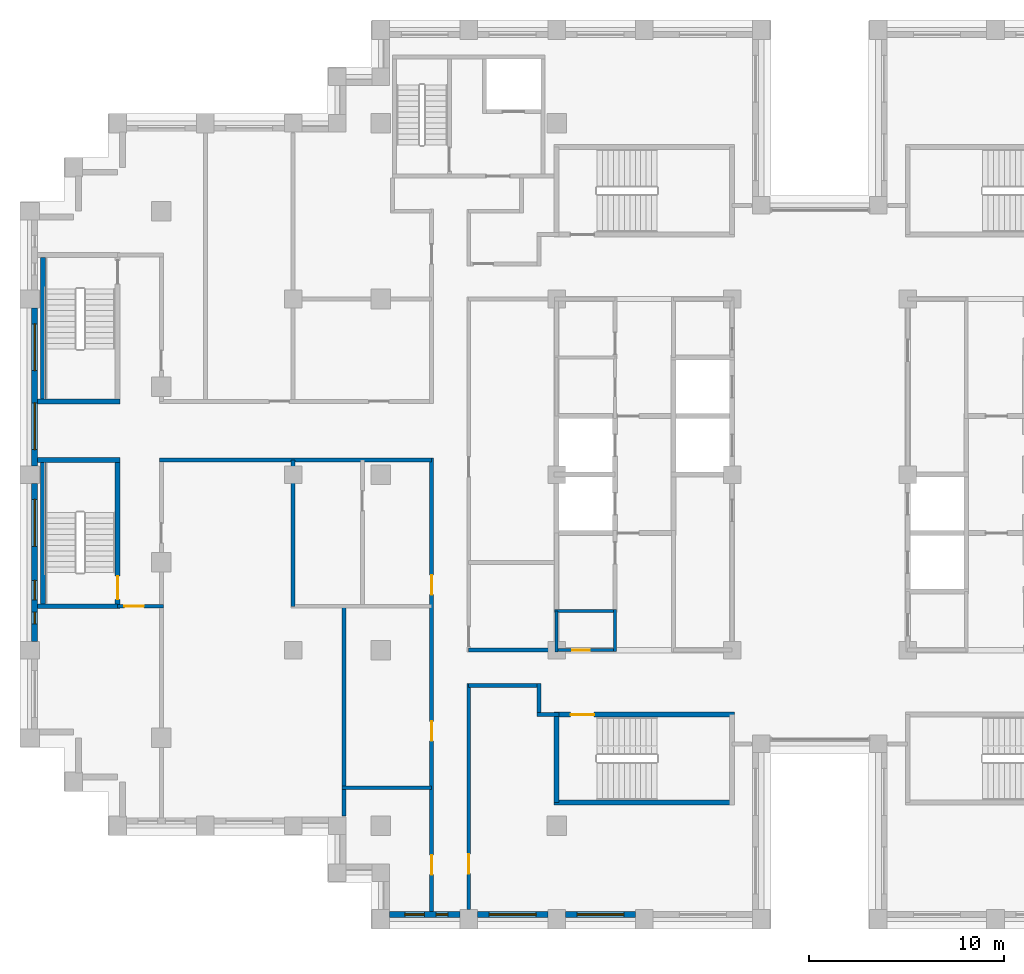
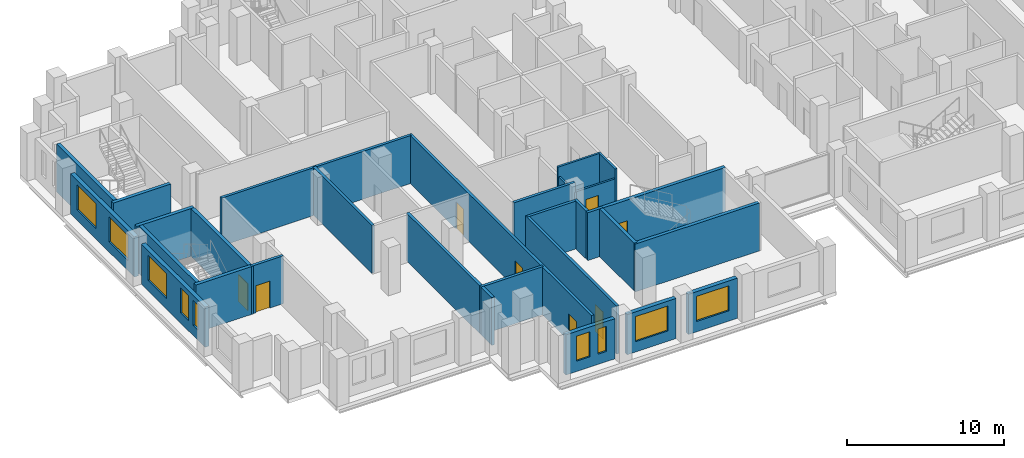
# One storey, part 6 of 15: 29 walls, 9 windows, 8 doors, 17 openings.
"""IFC4 building model written with IfcOpenShell, lengths in metres."""

from ifc_helpers import new_model, si_unit, direction, frame, frame_2d, origin, place, context, subcontext, project, spatial, rectangle, extrude, material, layer, layer_set, type_object, element, fill, save


model = new_model("IFC4")

# Units and contexts
model_context = context("Model", 3, precision=1e-05, world=origin(), true_north=direction((0.0, 1.0)))
body_context = subcontext(model_context, "Body", "Model", "MODEL_VIEW")
ifc_project = project(units=[si_unit("LENGTHUNIT", "METRE"), si_unit("AREAUNIT", "SQUARE_METRE"), si_unit("VOLUMEUNIT", "CUBIC_METRE"), si_unit("PLANEANGLEUNIT", "RADIAN"), si_unit("MASSUNIT", "GRAM", prefix="KILO")], contexts=[model_context])

# Site, building, storey
site_placement = place(None, origin())
site = spatial("IfcSite", under=ifc_project, at=site_placement, CompositionType="ELEMENT")
building_placement = place(site_placement, origin())
building = spatial("IfcBuilding", under=site, at=building_placement, Name="Corbelhall Arena Tower", CompositionType="ELEMENT")
storey_placement = place(building_placement, frame((0.0, 0.0, 192.0)))
storey = spatial("IfcBuildingStorey", under=building, at=storey_placement, Name="L39", CompositionType="ELEMENT", Elevation=192.0)

# Wall, openings, windows
ifc_material_1 = material(Name="Precast concrete C40/50 with granite facing", Category="masonry")
ifc_layer_1 = layer(ifc_material_1, 0.300048828125)
ifc_layer_set_1 = layer_set([ifc_layer_1], Name="EV-IW1 Infill panel 300")
wall_type_1 = type_object("IfcWallType", Name="EV-IW1 Infill panel 300", PredefinedType="SOLIDWALL", material=ifc_layer_set_1)
wall_1_placement = place(storey_placement, frame((-40.25, 8.550048828125, 0.0), z_axis=(0.0, 0.0, 1.0), x_axis=(0.0, -1.0, 0.0)))
wall_1 = element("IfcWall", 1, at=wall_1_placement, inside=storey, type_object=wall_type_1, Name="Infill panel IW1", PredefinedType="SOLIDWALL", context=body_context, shape_type="SweptSolid", body=[
    extrude(rectangle(XDim=8.10009765625, YDim=0.300048828125, at=frame_2d((4.050048828125, 0.0))), origin(), (0.0, 0.0, 1.0), 3.1201171875),
])
opening_1_placement = place(wall_1_placement, frame((0.824951171875, 0.0, 0.800048828125)))
opening_1 = element("IfcOpeningElement", 2, at=opening_1_placement, cuts=wall_1, Name="Opening WN1", PredefinedType="OPENING", context=body_context, shape_type="SweptSolid", body=[
    extrude(rectangle(XDim=2.39990234375, YDim=1.949951171875, at=frame_2d((1.199951171875, 0.97509765625))), frame((0.0, 0.14990234375, 0.0), z_axis=(0.0, -1.0, 0.0), x_axis=(1.0, 0.0, 0.0)), (0.0, 0.0, 1.0), 0.300048828125),
])
opening_2_placement = place(wall_1_placement, frame((4.875, 0.0, 0.800048828125)))
opening_2 = element("IfcOpeningElement", 3, at=opening_2_placement, cuts=wall_1, Name="Opening WN1", PredefinedType="OPENING", context=body_context, shape_type="SweptSolid", body=[
    extrude(rectangle(XDim=2.39990234375, YDim=1.949951171875, at=frame_2d((1.199951171875, 0.97509765625))), frame((0.0, 0.14990234375, 0.0), z_axis=(0.0, -1.0, 0.0), x_axis=(1.0, 0.0, 0.0)), (0.0, 0.0, 1.0), 0.300048828125),
])
ifc_material_2 = material(Name="Aluminium black anodised", Category="aluminium")
window_type_1 = type_object("IfcWindowType", Name="EV-WN1 Office window", PartitioningType="SINGLE_PANEL", PredefinedType="WINDOW", material=ifc_material_2)
window_1_placement = place(opening_1_placement, origin())
window_1 = element("IfcWindow", 4, at=window_1_placement, inside=storey, type_object=window_type_1, Name="Window WN1", OverallHeight=1.949951171875, OverallWidth=2.39990234375, PartitioningType="SINGLE_PANEL", PredefinedType="WINDOW", context=body_context, shape_type="SweptSolid", body=[
    extrude(rectangle(XDim=2.39990234375, YDim=1.949951171875, at=frame_2d((1.199951171875, 0.97509765625))), frame((0.0, 0.030029296875, 0.0), z_axis=(0.0, -1.0, 0.0), x_axis=(1.0, 0.0, 0.0)), (0.0, 0.0, 1.0), 0.06005859375),
])
fill(opening_1, window_1)
window_2_placement = place(opening_2_placement, origin())
window_2 = element("IfcWindow", 5, at=window_2_placement, inside=storey, type_object=window_type_1, Name="Window WN1", OverallHeight=1.949951171875, OverallWidth=2.39990234375, PartitioningType="SINGLE_PANEL", PredefinedType="WINDOW", context=body_context, shape_type="SweptSolid", body=[
    extrude(rectangle(XDim=2.39990234375, YDim=1.949951171875, at=frame_2d((1.199951171875, 0.97509765625))), frame((0.0, 0.030029296875, 0.0), z_axis=(0.0, -1.0, 0.0), x_axis=(1.0, 0.0, 0.0)), (0.0, 0.0, 1.0), 0.06005859375),
])
fill(opening_2, window_2)

wall_2_placement = place(storey_placement, frame((-40.25, -0.449951171875, 0.0), z_axis=(0.0, 0.0, 1.0), x_axis=(0.0, -1.0, 0.0)))
wall_2 = element("IfcWall", 6, at=wall_2_placement, inside=storey, type_object=wall_type_1, Name="Infill panel IW1", PredefinedType="SOLIDWALL", context=body_context, shape_type="SweptSolid", body=[
    extrude(rectangle(XDim=8.10009765625, YDim=0.300048828125, at=frame_2d((4.050048828125, 0.0))), origin(), (0.0, 0.0, 1.0), 3.1201171875),
])
opening_3_placement = place(wall_2_placement, frame((0.824951171875, 0.0, 0.800048828125)))
opening_3 = element("IfcOpeningElement", 7, at=opening_3_placement, cuts=wall_2, Name="Opening WN1", PredefinedType="OPENING", context=body_context, shape_type="SweptSolid", body=[
    extrude(rectangle(XDim=2.39990234375, YDim=1.949951171875, at=frame_2d((1.199951171875, 0.97509765625))), frame((0.0, 0.14990234375, 0.0), z_axis=(0.0, -1.0, 0.0), x_axis=(1.0, 0.0, 0.0)), (0.0, 0.0, 1.0), 0.300048828125),
])
opening_4_placement = place(wall_2_placement, frame((4.97509765625, 0.0, 0.800048828125)))
opening_4 = element("IfcOpeningElement", 8, at=opening_4_placement, cuts=wall_2, Name="Opening WN6", PredefinedType="OPENING", context=body_context, shape_type="SweptSolid", body=[
    extrude(rectangle(XDim=1.0, YDim=1.949951171875, at=frame_2d((0.5, 0.97509765625))), frame((0.0, 0.14990234375, 0.0), z_axis=(0.0, -1.0, 0.0), x_axis=(1.0, 0.0, 0.0)), (0.0, 0.0, 1.0), 0.300048828125),
])
opening_5_placement = place(wall_2_placement, frame((6.60009765625, 0.0, 0.800048828125)))
opening_5 = element("IfcOpeningElement", 9, at=opening_5_placement, cuts=wall_2, Name="Opening WN5", PredefinedType="OPENING", context=body_context, shape_type="SweptSolid", body=[
    extrude(rectangle(XDim=0.60009765625, YDim=1.949951171875, at=frame_2d((0.300048828125, 0.97509765625))), frame((0.0, 0.14990234375, 0.0), z_axis=(0.0, -1.0, 0.0), x_axis=(1.0, 0.0, 0.0)), (0.0, 0.0, 1.0), 0.300048828125),
])
window_3_placement = place(opening_3_placement, origin())
window_3 = element("IfcWindow", 10, at=window_3_placement, inside=storey, type_object=window_type_1, Name="Window WN1", OverallHeight=1.949951171875, OverallWidth=2.39990234375, PartitioningType="SINGLE_PANEL", PredefinedType="WINDOW", context=body_context, shape_type="SweptSolid", body=[
    extrude(rectangle(XDim=2.39990234375, YDim=1.949951171875, at=frame_2d((1.199951171875, 0.97509765625))), frame((0.0, 0.030029296875, 0.0), z_axis=(0.0, -1.0, 0.0), x_axis=(1.0, 0.0, 0.0)), (0.0, 0.0, 1.0), 0.06005859375),
])
fill(opening_3, window_3)
window_type_2 = type_object("IfcWindowType", Name="EV-WN5 Office window 600", PartitioningType="SINGLE_PANEL", PredefinedType="WINDOW", material=ifc_material_2)
window_4_placement = place(opening_5_placement, origin())
window_4 = element("IfcWindow", 11, at=window_4_placement, inside=storey, type_object=window_type_2, Name="Window WN5", OverallHeight=1.949951171875, OverallWidth=0.60009765625, PartitioningType="SINGLE_PANEL", PredefinedType="WINDOW", context=body_context, shape_type="SweptSolid", body=[
    extrude(rectangle(XDim=0.60009765625, YDim=1.949951171875, at=frame_2d((0.300048828125, 0.97509765625))), frame((0.0, 0.030029296875, 0.0), z_axis=(0.0, -1.0, 0.0), x_axis=(1.0, 0.0, 0.0)), (0.0, 0.0, 1.0), 0.06005859375),
])
fill(opening_5, window_4)
window_type_3 = type_object("IfcWindowType", Name="EV-WN6 Office window 1000", PartitioningType="SINGLE_PANEL", PredefinedType="WINDOW", material=ifc_material_2)
window_5_placement = place(opening_4_placement, origin())
window_5 = element("IfcWindow", 12, at=window_5_placement, inside=storey, type_object=window_type_3, Name="Window WN6", OverallHeight=1.949951171875, OverallWidth=1.0, PartitioningType="SINGLE_PANEL", PredefinedType="WINDOW", context=body_context, shape_type="SweptSolid", body=[
    extrude(rectangle(XDim=1.0, YDim=1.949951171875, at=frame_2d((0.5, 0.97509765625))), frame((0.0, 0.030029296875, 0.0), z_axis=(0.0, -1.0, 0.0), x_axis=(1.0, 0.0, 0.0)), (0.0, 0.0, 1.0), 0.06005859375),
])
fill(opening_4, window_5)

wall_3_placement = place(storey_placement, frame((-22.050048828125, -22.550048828125, 0.0), z_axis=(0.0, 0.0, 1.0), x_axis=(1.0, 0.0, 0.0)))
wall_3 = element("IfcWall", 13, at=wall_3_placement, inside=storey, type_object=wall_type_1, Name="Infill panel IW1", PredefinedType="SOLIDWALL", context=body_context, shape_type="SweptSolid", body=[
    extrude(rectangle(XDim=3.60009765625, YDim=0.300048828125, at=frame_2d((1.800048828125, 0.0))), origin(), (0.0, 0.0, 1.0), 3.1201171875),
])
opening_6_placement = place(wall_3_placement, frame((0.77490234375, 0.0, 0.800048828125)))
opening_6 = element("IfcOpeningElement", 14, at=opening_6_placement, cuts=wall_3, Name="Opening WN6", PredefinedType="OPENING", context=body_context, shape_type="SweptSolid", body=[
    extrude(rectangle(XDim=1.0, YDim=1.949951171875, at=frame_2d((0.5, 0.97509765625))), frame((0.0, 0.14990234375, 0.0), z_axis=(0.0, -1.0, 0.0), x_axis=(1.0, 0.0, 0.0)), (0.0, 0.0, 1.0), 0.300048828125),
])
opening_7_placement = place(wall_3_placement, frame((2.375, 0.0, 0.800048828125)))
opening_7 = element("IfcOpeningElement", 15, at=opening_7_placement, cuts=wall_3, Name="Opening WN5", PredefinedType="OPENING", context=body_context, shape_type="SweptSolid", body=[
    extrude(rectangle(XDim=0.60009765625, YDim=1.949951171875, at=frame_2d((0.300048828125, 0.97509765625))), frame((0.0, 0.14990234375, 0.0), z_axis=(0.0, -1.0, 0.0), x_axis=(1.0, 0.0, 0.0)), (0.0, 0.0, 1.0), 0.300048828125),
])
window_6_placement = place(opening_7_placement, origin())
window_6 = element("IfcWindow", 16, at=window_6_placement, inside=storey, type_object=window_type_2, Name="Window WN5", OverallHeight=1.949951171875, OverallWidth=0.60009765625, PartitioningType="SINGLE_PANEL", PredefinedType="WINDOW", context=body_context, shape_type="SweptSolid", body=[
    extrude(rectangle(XDim=0.60009765625, YDim=1.949951171875, at=frame_2d((0.300048828125, 0.97509765625))), frame((0.0, 0.030029296875, 0.0), z_axis=(0.0, -1.0, 0.0), x_axis=(1.0, 0.0, 0.0)), (0.0, 0.0, 1.0), 0.06005859375),
])
fill(opening_7, window_6)
window_7_placement = place(opening_6_placement, origin())
window_7 = element("IfcWindow", 17, at=window_7_placement, inside=storey, type_object=window_type_3, Name="Window WN6", OverallHeight=1.949951171875, OverallWidth=1.0, PartitioningType="SINGLE_PANEL", PredefinedType="WINDOW", context=body_context, shape_type="SweptSolid", body=[
    extrude(rectangle(XDim=1.0, YDim=1.949951171875, at=frame_2d((0.5, 0.97509765625))), frame((0.0, 0.030029296875, 0.0), z_axis=(0.0, -1.0, 0.0), x_axis=(1.0, 0.0, 0.0)), (0.0, 0.0, 1.0), 0.06005859375),
])
fill(opening_6, window_7)

# Wall, opening, window
wall_4_placement = place(storey_placement, frame((-17.550048828125, -22.550048828125, 0.0), z_axis=(0.0, 0.0, 1.0), x_axis=(1.0, 0.0, 0.0)))
wall_4 = element("IfcWall", 18, at=wall_4_placement, inside=storey, type_object=wall_type_1, Name="Infill panel IW1", PredefinedType="SOLIDWALL", context=body_context, shape_type="SweptSolid", body=[
    extrude(rectangle(XDim=3.60009765625, YDim=0.300048828125, at=frame_2d((1.800048828125, 0.0))), origin(), (0.0, 0.0, 1.0), 3.1201171875),
])
opening_8_placement = place(wall_4_placement, frame((0.60009765625, 0.0, 0.800048828125)))
opening_8 = element("IfcOpeningElement", 19, at=opening_8_placement, cuts=wall_4, Name="Opening WN1", PredefinedType="OPENING", context=body_context, shape_type="SweptSolid", body=[
    extrude(rectangle(XDim=2.39990234375, YDim=1.949951171875, at=frame_2d((1.199951171875, 0.97509765625))), frame((0.0, 0.14990234375, 0.0), z_axis=(0.0, -1.0, 0.0), x_axis=(1.0, 0.0, 0.0)), (0.0, 0.0, 1.0), 0.300048828125),
])
window_8_placement = place(opening_8_placement, origin())
window_8 = element("IfcWindow", 20, at=window_8_placement, inside=storey, type_object=window_type_1, Name="Window WN1", OverallHeight=1.949951171875, OverallWidth=2.39990234375, PartitioningType="SINGLE_PANEL", PredefinedType="WINDOW", context=body_context, shape_type="SweptSolid", body=[
    extrude(rectangle(XDim=2.39990234375, YDim=1.949951171875, at=frame_2d((1.199951171875, 0.97509765625))), frame((0.0, 0.030029296875, 0.0), z_axis=(0.0, -1.0, 0.0), x_axis=(1.0, 0.0, 0.0)), (0.0, 0.0, 1.0), 0.06005859375),
])
fill(opening_8, window_8)

wall_5_placement = place(storey_placement, frame((-13.050048828125, -22.550048828125, 0.0), z_axis=(0.0, 0.0, 1.0), x_axis=(1.0, 0.0, 0.0)))
wall_5 = element("IfcWall", 21, at=wall_5_placement, inside=storey, type_object=wall_type_1, Name="Infill panel IW1", PredefinedType="SOLIDWALL", context=body_context, shape_type="SweptSolid", body=[
    extrude(rectangle(XDim=3.60009765625, YDim=0.300048828125, at=frame_2d((1.800048828125, 0.0))), origin(), (0.0, 0.0, 1.0), 3.1201171875),
])
opening_9_placement = place(wall_5_placement, frame((0.60009765625, 0.0, 0.800048828125)))
opening_9 = element("IfcOpeningElement", 22, at=opening_9_placement, cuts=wall_5, Name="Opening WN1", PredefinedType="OPENING", context=body_context, shape_type="SweptSolid", body=[
    extrude(rectangle(XDim=2.39990234375, YDim=1.949951171875, at=frame_2d((1.199951171875, 0.97509765625))), frame((0.0, 0.14990234375, 0.0), z_axis=(0.0, -1.0, 0.0), x_axis=(1.0, 0.0, 0.0)), (0.0, 0.0, 1.0), 0.300048828125),
])
window_9_placement = place(opening_9_placement, origin())
window_9 = element("IfcWindow", 23, at=window_9_placement, inside=storey, type_object=window_type_1, Name="Window WN1", OverallHeight=1.949951171875, OverallWidth=2.39990234375, PartitioningType="SINGLE_PANEL", PredefinedType="WINDOW", context=body_context, shape_type="SweptSolid", body=[
    extrude(rectangle(XDim=2.39990234375, YDim=1.949951171875, at=frame_2d((1.199951171875, 0.97509765625))), frame((0.0, 0.030029296875, 0.0), z_axis=(0.0, -1.0, 0.0), x_axis=(1.0, 0.0, 0.0)), (0.0, 0.0, 1.0), 0.06005859375),
])
fill(opening_9, window_9)

# Wall, opening, door
ifc_material_3 = material(Name="Gypsum board on steel stud, acoustic", Category="steel")
ifc_layer_2 = layer(ifc_material_3, 0.199951171875)
ifc_layer_set_2 = layer_set([ifc_layer_2], Name="IN-W-DM200")
wall_type_2 = type_object("IfcWallType", Name="IN-W-DM200", PredefinedType="PARTITIONING", material=ifc_layer_set_2)
wall_6_placement = place(storey_placement, frame((-33.64990234375, -6.75, 0.0), z_axis=(0.0, 0.0, 1.0), x_axis=(-1.0, 0.0, 0.0)))
wall_6 = element("IfcWall", 24, at=wall_6_placement, inside=storey, type_object=wall_type_2, Name="Partition 005", PredefinedType="PARTITIONING", context=body_context, shape_type="SweptSolid", body=[
    extrude(rectangle(XDim=2.35009765625, YDim=0.199951171875, at=frame_2d((1.175048828125, 0.0))), origin(), (0.0, 0.0, 1.0), 3.719970703125),
])
opening_10_placement = place(wall_6_placement, frame((1.0, 0.0, 0.0)))
opening_10 = element("IfcOpeningElement", 25, at=opening_10_placement, cuts=wall_6, Name="Opening 11045", PredefinedType="OPENING", context=body_context, shape_type="SweptSolid", body=[
    extrude(rectangle(XDim=1.0, YDim=2.10009765625, at=frame_2d((0.5, 1.050048828125))), frame((0.0, 0.10009765625, 0.0), z_axis=(0.0, -1.0, 0.0), x_axis=(1.0, 0.0, 0.0)), (0.0, 0.0, 1.0), 0.199951171875),
])
ifc_material_4 = material(Name="Steel door set", Category="steel")
door_type_1 = type_object("IfcDoorType", Name="IN-D-SW100", OperationType="NOTDEFINED", PredefinedType="DOOR", material=ifc_material_4)
door_1_placement = place(opening_10_placement, origin())
door_1 = element("IfcDoor", 26, at=door_1_placement, inside=storey, type_object=door_type_1, Name="Door 045", OperationType="SINGLE_SWING_RIGHT", OverallHeight=2.10009765625, OverallWidth=1.0, PredefinedType="DOOR", context=body_context, shape_type="SweptSolid", body=[
    extrude(rectangle(XDim=1.0, YDim=2.10009765625, at=frame_2d((0.5, 1.050048828125))), frame((0.0, 0.02490234375, 0.0), z_axis=(0.0, -1.0, 0.0), x_axis=(1.0, 0.0, 0.0)), (0.0, 0.0, 1.0), 0.050048828125),
])
fill(opening_10, door_1)

# Walls
wall_7_placement = place(storey_placement, frame((-27.0, -6.75, 0.0), z_axis=(0.0, 0.0, 1.0), x_axis=(0.0, 1.0, 0.0)))
element("IfcWall", 27, at=wall_7_placement, inside=storey, type_object=wall_type_2, Name="Partition 008", PredefinedType="PARTITIONING", context=body_context, shape_type="SweptSolid", body=[
    extrude(rectangle(XDim=7.5, YDim=0.199951171875, at=frame_2d((3.75, 0.0))), origin(), (0.0, 0.0, 1.0), 3.719970703125),
])
wall_8_placement = place(storey_placement, frame((-19.89990234375, 0.75, 0.0), z_axis=(0.0, 0.0, 1.0), x_axis=(-1.0, 0.0, 0.0)))
element("IfcWall", 28, at=wall_8_placement, inside=storey, type_object=wall_type_2, Name="Partition 010", PredefinedType="PARTITIONING", context=body_context, shape_type="SweptSolid", body=[
    extrude(rectangle(XDim=13.9501953125, YDim=0.199951171875, at=frame_2d((6.97509765625, 0.0))), origin(), (0.0, 0.0, 1.0), 3.719970703125),
])
wall_9_placement = place(storey_placement, frame((-24.5, -16.050048828125, 0.0), z_axis=(0.0, 0.0, 1.0), x_axis=(1.0, 0.0, 0.0)))
element("IfcWall", 29, at=wall_9_placement, inside=storey, type_object=wall_type_2, Name="Partition 011", PredefinedType="PARTITIONING", context=body_context, shape_type="SweptSolid", body=[
    extrude(rectangle(XDim=4.60009765625, YDim=0.199951171875, at=frame_2d((2.300048828125, 0.0))), origin(), (0.0, 0.0, 1.0), 3.719970703125),
])
wall_10_placement = place(storey_placement, frame((-24.39990234375, -17.5, 0.0), z_axis=(0.0, 0.0, 1.0), x_axis=(0.0, 1.0, 0.0)))
element("IfcWall", 30, at=wall_10_placement, inside=storey, type_object=wall_type_2, Name="Partition 013", PredefinedType="PARTITIONING", context=body_context, shape_type="SweptSolid", body=[
    extrude(rectangle(XDim=10.85009765625, YDim=0.199951171875, at=frame_2d((5.425048828125, 0.0))), origin(), (0.0, 0.0, 1.0), 3.719970703125),
])

# Wall, openings, doors
wall_11_placement = place(storey_placement, frame((-19.89990234375, -22.39990234375, 0.0), z_axis=(0.0, 0.0, 1.0), x_axis=(0.0, 1.0, 0.0)))
wall_11 = element("IfcWall", 31, at=wall_11_placement, inside=storey, type_object=wall_type_2, Name="Partition 016", PredefinedType="PARTITIONING", context=body_context, shape_type="SweptSolid", body=[
    extrude(rectangle(XDim=23.25, YDim=0.199951171875, at=frame_2d((11.625, 0.0))), origin(), (0.0, 0.0, 1.0), 3.719970703125),
])
opening_11_placement = place(wall_11_placement, frame((1.89990234375, 0.0, 0.0)))
opening_11 = element("IfcOpeningElement", 32, at=opening_11_placement, cuts=wall_11, Name="Opening 11033", PredefinedType="OPENING", context=body_context, shape_type="SweptSolid", body=[
    extrude(rectangle(XDim=1.0, YDim=2.10009765625, at=frame_2d((0.5, 1.050048828125))), frame((0.0, 0.10009765625, 0.0), z_axis=(0.0, -1.0, 0.0), x_axis=(1.0, 0.0, 0.0)), (0.0, 0.0, 1.0), 0.199951171875),
])
opening_12_placement = place(wall_11_placement, frame((8.75, 0.0, 0.0)))
opening_12 = element("IfcOpeningElement", 33, at=opening_12_placement, cuts=wall_11, Name="Opening 11034", PredefinedType="OPENING", context=body_context, shape_type="SweptSolid", body=[
    extrude(rectangle(XDim=1.0, YDim=2.10009765625, at=frame_2d((0.5, 1.050048828125))), frame((0.0, 0.10009765625, 0.0), z_axis=(0.0, -1.0, 0.0), x_axis=(1.0, 0.0, 0.0)), (0.0, 0.0, 1.0), 0.199951171875),
])
opening_13_placement = place(wall_11_placement, frame((16.25, 0.0, 0.0)))
opening_13 = element("IfcOpeningElement", 34, at=opening_13_placement, cuts=wall_11, Name="Opening 11035", PredefinedType="OPENING", context=body_context, shape_type="SweptSolid", body=[
    extrude(rectangle(XDim=1.0, YDim=2.10009765625, at=frame_2d((0.5, 1.050048828125))), frame((0.0, 0.10009765625, 0.0), z_axis=(0.0, -1.0, 0.0), x_axis=(1.0, 0.0, 0.0)), (0.0, 0.0, 1.0), 0.199951171875),
])
door_2_placement = place(opening_11_placement, origin())
door_2 = element("IfcDoor", 35, at=door_2_placement, inside=storey, type_object=door_type_1, Name="Door 033", OperationType="SINGLE_SWING_RIGHT", OverallHeight=2.10009765625, OverallWidth=1.0, PredefinedType="DOOR", context=body_context, shape_type="SweptSolid", body=[
    extrude(rectangle(XDim=1.0, YDim=2.10009765625, at=frame_2d((0.5, 1.050048828125))), frame((0.0, 0.02490234375, 0.0), z_axis=(0.0, -1.0, 0.0), x_axis=(1.0, 0.0, 0.0)), (0.0, 0.0, 1.0), 0.050048828125),
])
fill(opening_11, door_2)
door_3_placement = place(opening_12_placement, origin())
door_3 = element("IfcDoor", 36, at=door_3_placement, inside=storey, type_object=door_type_1, Name="Door 034", OperationType="SINGLE_SWING_LEFT", OverallHeight=2.10009765625, OverallWidth=1.0, PredefinedType="DOOR", context=body_context, shape_type="SweptSolid", body=[
    extrude(rectangle(XDim=1.0, YDim=2.10009765625, at=frame_2d((0.5, 1.050048828125))), frame((0.0, 0.02490234375, 0.0), z_axis=(0.0, -1.0, 0.0), x_axis=(1.0, 0.0, 0.0)), (0.0, 0.0, 1.0), 0.050048828125),
])
fill(opening_12, door_3)
door_4_placement = place(opening_13_placement, origin())
door_4 = element("IfcDoor", 37, at=door_4_placement, inside=storey, type_object=door_type_1, Name="Door 035", OperationType="SINGLE_SWING_RIGHT", OverallHeight=2.10009765625, OverallWidth=1.0, PredefinedType="DOOR", context=body_context, shape_type="SweptSolid", body=[
    extrude(rectangle(XDim=1.0, YDim=2.10009765625, at=frame_2d((0.5, 1.050048828125))), frame((0.0, 0.02490234375, 0.0), z_axis=(0.0, -1.0, 0.0), x_axis=(1.0, 0.0, 0.0)), (0.0, 0.0, 1.0), 0.050048828125),
])
fill(opening_13, door_4)

# Wall, opening, door
wall_12_placement = place(storey_placement, frame((-18.0, -10.699951171875, 0.0), z_axis=(0.0, 0.0, 1.0), x_axis=(0.0, -1.0, 0.0)))
wall_12 = element("IfcWall", 38, at=wall_12_placement, inside=storey, type_object=wall_type_2, Name="Partition 019", PredefinedType="PARTITIONING", context=body_context, shape_type="SweptSolid", body=[
    extrude(rectangle(XDim=11.60009765625, YDim=0.199951171875, at=frame_2d((5.800048828125, 0.0))), origin(), (0.0, 0.0, 1.0), 3.719970703125),
])
opening_14_placement = place(wall_12_placement, frame((8.75, 0.0, 0.0)))
opening_14 = element("IfcOpeningElement", 39, at=opening_14_placement, cuts=wall_12, Name="Opening 11029", PredefinedType="OPENING", context=body_context, shape_type="SweptSolid", body=[
    extrude(rectangle(XDim=1.0, YDim=2.10009765625, at=frame_2d((0.5, 1.050048828125))), frame((0.0, 0.10009765625, 0.0), z_axis=(0.0, -1.0, 0.0), x_axis=(1.0, 0.0, 0.0)), (0.0, 0.0, 1.0), 0.199951171875),
])
door_5_placement = place(opening_14_placement, origin())
door_5 = element("IfcDoor", 40, at=door_5_placement, inside=storey, type_object=door_type_1, Name="Door 029", OperationType="SINGLE_SWING_RIGHT", OverallHeight=2.10009765625, OverallWidth=1.0, PredefinedType="DOOR", context=body_context, shape_type="SweptSolid", body=[
    extrude(rectangle(XDim=1.0, YDim=2.10009765625, at=frame_2d((0.5, 1.050048828125))), frame((0.0, 0.02490234375, 0.0), z_axis=(0.0, -1.0, 0.0), x_axis=(1.0, 0.0, 0.0)), (0.0, 0.0, 1.0), 0.050048828125),
])
fill(opening_14, door_5)

# Walls
wall_13_placement = place(storey_placement, frame((-18.0, -9.0, 0.0), z_axis=(0.0, 0.0, 1.0), x_axis=(1.0, 0.0, 0.0)))
element("IfcWall", 41, at=wall_13_placement, inside=storey, type_object=wall_type_2, Name="Partition 020", PredefinedType="PARTITIONING", context=body_context, shape_type="SweptSolid", body=[
    extrude(rectangle(XDim=4.5, YDim=0.199951171875, at=frame_2d((2.25, 0.0))), origin(), (0.0, 0.0, 1.0), 3.719970703125),
])
wall_14_placement = place(storey_placement, frame((-14.39990234375, -12.300048828125, 0.0), z_axis=(0.0, 0.0, 1.0), x_axis=(0.0, 1.0, 0.0)))
element("IfcWall", 42, at=wall_14_placement, inside=storey, type_object=wall_type_2, Name="Partition 028", PredefinedType="PARTITIONING", context=body_context, shape_type="SweptSolid", body=[
    extrude(rectangle(XDim=1.60009765625, YDim=0.199951171875, at=frame_2d((0.800048828125, 0.0))), origin(), (0.0, 0.0, 1.0), 3.719970703125),
])
wall_15_placement = place(storey_placement, frame((-14.39990234375, -10.800048828125, 0.0), z_axis=(0.0, 0.0, 1.0), x_axis=(-1.0, 0.0, 0.0)))
element("IfcWall", 43, at=wall_15_placement, inside=storey, type_object=wall_type_2, Name="Partition 029", PredefinedType="PARTITIONING", context=body_context, shape_type="SweptSolid", body=[
    extrude(rectangle(XDim=3.60009765625, YDim=0.199951171875, at=frame_2d((1.800048828125, 0.0))), origin(), (0.0, 0.0, 1.0), 3.719970703125),
])
wall_16_placement = place(storey_placement, frame((-13.375, -12.300048828125, 0.0), z_axis=(0.0, 0.0, 1.0), x_axis=(-1.0, 0.0, 0.0)))
element("IfcWall", 44, at=wall_16_placement, inside=storey, type_object=wall_type_2, Name="Partition 032", PredefinedType="PARTITIONING", context=body_context, shape_type="SweptSolid", body=[
    extrude(rectangle(XDim=1.125, YDim=0.199951171875, at=frame_2d((0.5625, 0.0))), origin(), (0.0, 0.0, 1.0), 3.719970703125),
])
ifc_material_5 = material(Name="Concrete C40/50", Category="concrete")
ifc_layer_3 = layer(ifc_material_5, 0.25)
ifc_layer_set_3 = layer_set([ifc_layer_3], Name="IN-W-ST250")
wall_type_3 = type_object("IfcWallType", Name="IN-W-ST250", PredefinedType="SOLIDWALL", material=ifc_layer_set_3)
wall_17_placement = place(storey_placement, frame((-40.10009765625, 3.75, 0.0), z_axis=(0.0, 0.0, 1.0), x_axis=(1.0, 0.0, 0.0)))
element("IfcWall", 45, at=wall_17_placement, inside=storey, type_object=wall_type_3, Name="Shaft wall 097", PredefinedType="SOLIDWALL", context=body_context, shape_type="SweptSolid", body=[
    extrude(rectangle(XDim=4.22509765625, YDim=0.25, at=frame_2d((2.112548828125, 0.0))), origin(), (0.0, 0.0, 1.0), 3.719970703125),
])
wall_18_placement = place(storey_placement, frame((-36.0, -6.75, 0.0), z_axis=(0.0, 0.0, 1.0), x_axis=(-1.0, 0.0, 0.0)))
element("IfcWall", 46, at=wall_18_placement, inside=storey, type_object=wall_type_3, Name="Shaft wall 099", PredefinedType="SOLIDWALL", context=body_context, shape_type="SweptSolid", body=[
    extrude(rectangle(XDim=4.10009765625, YDim=0.25, at=frame_2d((2.050048828125, 0.0))), origin(), (0.0, 0.0, 1.0), 3.719970703125),
])

# Wall, opening, door
wall_19_placement = place(storey_placement, frame((-36.0, 0.75, 0.0), z_axis=(0.0, 0.0, 1.0), x_axis=(0.0, -1.0, 0.0)))
wall_19 = element("IfcWall", 47, at=wall_19_placement, inside=storey, type_object=wall_type_3, Name="Shaft wall 100", PredefinedType="SOLIDWALL", context=body_context, shape_type="SweptSolid", body=[
    extrude(rectangle(XDim=7.625, YDim=0.25, at=frame_2d((3.8125, 0.0))), origin(), (0.0, 0.0, 1.0), 3.719970703125),
])
opening_15_placement = place(wall_19_placement, frame((5.949951171875, 0.0, 0.0)))
opening_15 = element("IfcOpeningElement", 48, at=opening_15_placement, cuts=wall_19, Name="Opening 11021", PredefinedType="OPENING", context=body_context, shape_type="SweptSolid", body=[
    extrude(rectangle(XDim=1.199951171875, YDim=2.10009765625, at=frame_2d((0.60009765625, 1.050048828125))), frame((0.0, 0.125, 0.0), z_axis=(0.0, -1.0, 0.0), x_axis=(1.0, 0.0, 0.0)), (0.0, 0.0, 1.0), 0.25),
])
door_type_2 = type_object("IfcDoorType", Name="IN-D-ST120", OperationType="NOTDEFINED", PredefinedType="DOOR", material=ifc_material_4)
door_6_placement = place(opening_15_placement, origin())
door_6 = element("IfcDoor", 49, at=door_6_placement, inside=storey, type_object=door_type_2, Name="Door 021", OperationType="SINGLE_SWING_RIGHT", OverallHeight=2.10009765625, OverallWidth=1.199951171875, PredefinedType="DOOR", context=body_context, shape_type="SweptSolid", body=[
    extrude(rectangle(XDim=1.199951171875, YDim=2.10009765625, at=frame_2d((0.60009765625, 1.050048828125))), frame((0.0, 0.02490234375, 0.0), z_axis=(0.0, -1.0, 0.0), x_axis=(1.0, 0.0, 0.0)), (0.0, 0.0, 1.0), 0.050048828125),
])
fill(opening_15, door_6)

# Walls
wall_20_placement = place(storey_placement, frame((-35.875, 0.75, 0.0), z_axis=(0.0, 0.0, 1.0), x_axis=(-1.0, 0.0, 0.0)))
element("IfcWall", 50, at=wall_20_placement, inside=storey, type_object=wall_type_3, Name="Shaft wall 102", PredefinedType="SOLIDWALL", context=body_context, shape_type="SweptSolid", body=[
    extrude(rectangle(XDim=4.22509765625, YDim=0.25, at=frame_2d((2.112548828125, 0.0))), origin(), (0.0, 0.0, 1.0), 3.719970703125),
])
wall_21_placement = place(storey_placement, frame((-13.5, -16.800048828125, 0.0), z_axis=(0.0, 0.0, 1.0), x_axis=(0.0, 1.0, 0.0)))
element("IfcWall", 51, at=wall_21_placement, inside=storey, type_object=wall_type_3, Name="Shaft wall 105", PredefinedType="SOLIDWALL", context=body_context, shape_type="SweptSolid", body=[
    extrude(rectangle(XDim=4.5, YDim=0.25, at=frame_2d((2.25, 0.0))), origin(), (0.0, 0.0, 1.0), 3.719970703125),
])
wall_22_placement = place(storey_placement, frame((-4.5, -16.800048828125, 0.0), z_axis=(0.0, 0.0, 1.0), x_axis=(-1.0, 0.0, 0.0)))
element("IfcWall", 52, at=wall_22_placement, inside=storey, type_object=wall_type_3, Name="Shaft wall 107", PredefinedType="SOLIDWALL", context=body_context, shape_type="SweptSolid", body=[
    extrude(rectangle(XDim=9.125, YDim=0.25, at=frame_2d((4.5625, 0.0))), origin(), (0.0, 0.0, 1.0), 3.719970703125),
])

# Wall, opening, door
wall_23_placement = place(storey_placement, frame((-4.375, -12.300048828125, 0.0), z_axis=(0.0, 0.0, 1.0), x_axis=(-1.0, 0.0, 0.0)))
wall_23 = element("IfcWall", 53, at=wall_23_placement, inside=storey, type_object=wall_type_3, Name="Shaft wall 110", PredefinedType="SOLIDWALL", context=body_context, shape_type="SweptSolid", body=[
    extrude(rectangle(XDim=9.25, YDim=0.25, at=frame_2d((4.625, 0.0))), origin(), (0.0, 0.0, 1.0), 3.719970703125),
])
opening_16_placement = place(wall_23_placement, frame((7.199951171875, 0.0, 0.0)))
opening_16 = element("IfcOpeningElement", 54, at=opening_16_placement, cuts=wall_23, Name="Opening 11017", PredefinedType="OPENING", context=body_context, shape_type="SweptSolid", body=[
    extrude(rectangle(XDim=1.199951171875, YDim=2.10009765625, at=frame_2d((0.60009765625, 1.050048828125))), frame((0.0, 0.125, 0.0), z_axis=(0.0, -1.0, 0.0), x_axis=(1.0, 0.0, 0.0)), (0.0, 0.0, 1.0), 0.25),
])
door_7_placement = place(opening_16_placement, origin())
door_7 = element("IfcDoor", 55, at=door_7_placement, inside=storey, type_object=door_type_2, Name="Door 017", OperationType="SINGLE_SWING_RIGHT", OverallHeight=2.10009765625, OverallWidth=1.199951171875, PredefinedType="DOOR", context=body_context, shape_type="SweptSolid", body=[
    extrude(rectangle(XDim=1.199951171875, YDim=2.10009765625, at=frame_2d((0.60009765625, 1.050048828125))), frame((0.0, 0.02490234375, 0.0), z_axis=(0.0, -1.0, 0.0), x_axis=(1.0, 0.0, 0.0)), (0.0, 0.0, 1.0), 0.050048828125),
])
fill(opening_16, door_7)

# Walls
for number, where, z_axis, x_axis, name in (
    (56, (-39.824951171875, 3.875, 0.0), (0.0, 0.0, 1.0), (0.0, 1.0, 0.0), "Shaft wall SC1 facade side"),
    (57, (-39.824951171875, -6.625, 0.0), (0.0, 0.0, 1.0), (0.0, 1.0, 0.0), "Shaft wall SC2 facade side"),
):
    element("IfcWall", number, at=place(storey_placement, frame(where, z_axis=z_axis, x_axis=x_axis)), inside=storey, type_object=wall_type_3, Name=name, PredefinedType="SOLIDWALL", context=body_context, shape_type="SweptSolid", body=[
        extrude(rectangle(XDim=7.25, YDim=0.25, at=frame_2d((3.625, 0.0))), origin(), (0.0, 0.0, 1.0), 3.719970703125),
    ])
ifc_material_6 = material(Name="Gypsum board on steel stud, moisture resistant", Category="steel")
ifc_layer_4 = layer(ifc_material_6, 0.14990234375)
ifc_layer_set_4 = layer_set([ifc_layer_4], Name="IN-W-WC150")
wall_type_4 = type_object("IfcWallType", Name="IN-W-WC150", PredefinedType="PARTITIONING", material=ifc_layer_set_4)
wall_24_placement = place(storey_placement, frame((-13.60009765625, -7.0, 0.0), z_axis=(0.0, 0.0, 1.0), x_axis=(1.0, 0.0, 0.0)))
element("IfcWall", 58, at=wall_24_placement, inside=storey, type_object=wall_type_4, Name="Partition 119", PredefinedType="PARTITIONING", context=body_context, shape_type="SweptSolid", body=[
    extrude(rectangle(XDim=3.10009765625, YDim=0.14990234375, at=frame_2d((1.550048828125, 0.0))), origin(), (0.0, 0.0, 1.0), 3.719970703125),
])
wall_25_placement = place(storey_placement, frame((-10.5, -9.074951171875, 0.0), z_axis=(0.0, 0.0, 1.0), x_axis=(0.0, 1.0, 0.0)))
element("IfcWall", 59, at=wall_25_placement, inside=storey, type_object=wall_type_4, Name="Partition 123", PredefinedType="PARTITIONING", context=body_context, shape_type="SweptSolid", body=[
    extrude(rectangle(XDim=2.14990234375, YDim=0.14990234375, at=frame_2d((1.074951171875, 0.0))), origin(), (0.0, 0.0, 1.0), 3.719970703125),
])
ifc_layer_5 = layer(ifc_material_6, 0.14990234375)
ifc_layer_set_5 = layer_set([ifc_layer_5], Name="IN-W-WC150 under beam 762 mm")
wall_type_5 = type_object("IfcWallType", Name="IN-W-WC150 under beam 762 mm", PredefinedType="PARTITIONING", material=ifc_layer_set_5)
wall_26_placement = place(storey_placement, frame((-13.5, -9.10009765625, 0.0), z_axis=(0.0, 0.0, 1.0), x_axis=(0.0, 1.0, 0.0)))
element("IfcWall", 60, at=wall_26_placement, inside=storey, type_object=wall_type_5, Name="Partition 121", PredefinedType="PARTITIONING", context=body_context, shape_type="SweptSolid", body=[
    extrude(rectangle(XDim=2.10009765625, YDim=0.14990234375, at=frame_2d((1.050048828125, 0.0))), origin(), (0.0, 0.0, 1.0), 2.9580078125),
])

# Wall, opening, door
wall_27_placement = place(storey_placement, frame((-10.5, -9.0, 0.0), z_axis=(0.0, 0.0, 1.0), x_axis=(-1.0, 0.0, 0.0)))
wall_27 = element("IfcWall", 61, at=wall_27_placement, inside=storey, type_object=wall_type_5, Name="Partition 124", PredefinedType="PARTITIONING", context=body_context, shape_type="SweptSolid", body=[
    extrude(rectangle(XDim=3.074951171875, YDim=0.14990234375, at=frame_2d((1.53759765625, 0.0))), origin(), (0.0, 0.0, 1.0), 2.9580078125),
])
opening_17_placement = place(wall_27_placement, frame((1.300048828125, 0.0, 0.0)))
opening_17 = element("IfcOpeningElement", 62, at=opening_17_placement, cuts=wall_27, Name="Opening 11005", PredefinedType="OPENING", context=body_context, shape_type="SweptSolid", body=[
    extrude(rectangle(XDim=0.89990234375, YDim=2.10009765625, at=frame_2d((0.449951171875, 1.050048828125))), frame((0.0, 0.074951171875, 0.0), z_axis=(0.0, -1.0, 0.0), x_axis=(1.0, 0.0, 0.0)), (0.0, 0.0, 1.0), 0.14990234375),
])
ifc_material_7 = material(Name="Timber door set", Category="wood")
door_type_3 = type_object("IfcDoorType", Name="IN-D-SW90", OperationType="NOTDEFINED", PredefinedType="DOOR", material=ifc_material_7)
door_8_placement = place(opening_17_placement, origin())
door_8 = element("IfcDoor", 63, at=door_8_placement, inside=storey, type_object=door_type_3, Name="Door 005", OperationType="SINGLE_SWING_RIGHT", OverallHeight=2.10009765625, OverallWidth=0.89990234375, PredefinedType="DOOR", context=body_context, shape_type="SweptSolid", body=[
    extrude(rectangle(XDim=0.89990234375, YDim=2.10009765625, at=frame_2d((0.449951171875, 1.050048828125))), frame((0.0, 0.02490234375, 0.0), z_axis=(0.0, -1.0, 0.0), x_axis=(1.0, 0.0, 0.0)), (0.0, 0.0, 1.0), 0.050048828125),
])
fill(opening_17, door_8)

save(model, "model.ifc")
